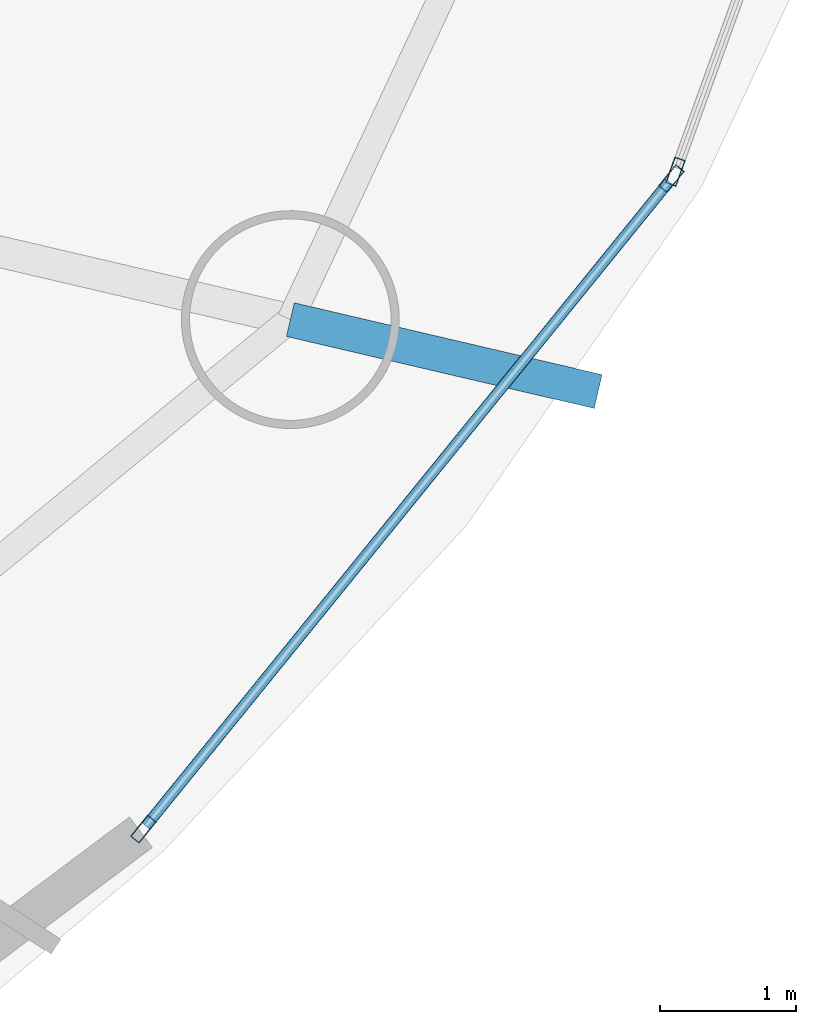
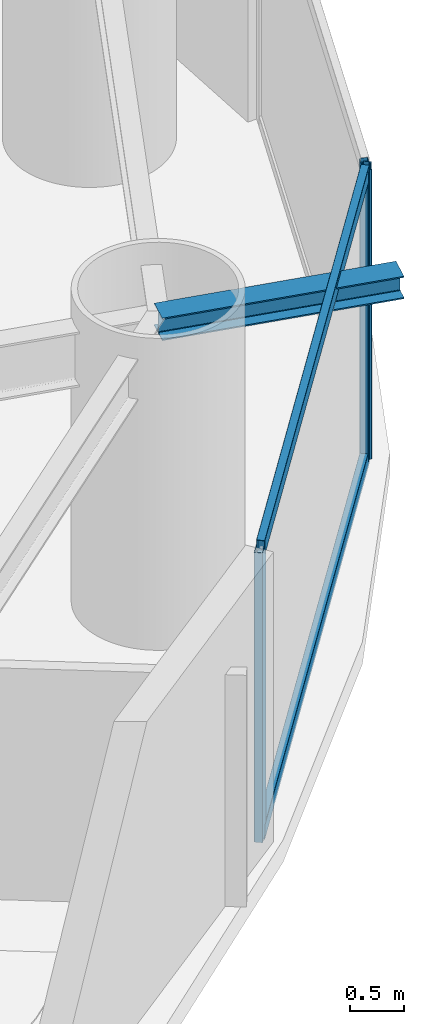
# One storey, part 7 of 23: 5 members, 1 beam, 2 elements without a shape of their own.
"""IFC4 building model written with IfcOpenShell, lengths in metres."""

from ifc_helpers import new_model, si_unit, direction, frame, origin, origin_2d, place, context, subcontext, project, spatial, hollow_rectangle, i_section, extrude, material, layer, layer_set, material_profile, profile_set, type_object, element, aggregate, save


model = new_model("IFC4")

# Units and contexts
model_context = context("Model", 3, precision=1e-05, world=origin(), true_north=direction((0.0, 1.0)))
body_context = subcontext(model_context, "Body", "Model", "MODEL_VIEW")
ifc_project = project(units=[si_unit("LENGTHUNIT", "METRE"), si_unit("AREAUNIT", "SQUARE_METRE"), si_unit("VOLUMEUNIT", "CUBIC_METRE"), si_unit("PLANEANGLEUNIT", "RADIAN"), si_unit("MASSUNIT", "GRAM", prefix="KILO")], contexts=[model_context])

# Site, building, storey
site_placement = place(None, origin())
site = spatial("IfcSite", under=ifc_project, at=site_placement, CompositionType="ELEMENT")
building_placement = place(site_placement, origin())
building = spatial("IfcBuilding", under=site, at=building_placement, Name="Bramvorn Convention Spire", CompositionType="ELEMENT")
storey_placement = place(building_placement, frame((0.0, 0.0, 69.39990234375)))
storey = spatial("IfcBuildingStorey", under=building, at=storey_placement, Name="L15", CompositionType="ELEMENT", Elevation=69.39990234375)

# Beam
ifc_material_1 = material(Name="Steel CSA G40.21 Grade 350 (350W)", Category="steel")
ifc_material_profile_1 = material_profile(ifc_material_1, i_section(OverallWidth=0.25390625, OverallDepth=0.2529296875, WebThickness=0.008544921875, FlangeThickness=0.01416015625, FilletRadius=0.011962890625, at=origin_2d()))
ifc_profile_set_1 = profile_set([ifc_material_profile_1], Name="Steel CSA G40.21 Grade 350 (350W) - W250X73")
beam_type = type_object("IfcBeamType", Name="BM-W250X73", PredefinedType="BEAM", material=ifc_profile_set_1)
beam_placement = place(storey_placement, frame((63.35888671875, 15.253662109375, 3.12353515625), z_axis=(0.973786884068, -0.227462314281, 0.0), x_axis=(0.227462314281, 0.973786884068, 0.0)))
element("IfcBeam", 1, at=beam_placement, inside=storey, type_object=beam_type, Name="L15 slab-edge cantilever tip beam MC16", PredefinedType="BEAM", context=body_context, shape_type="SweptSolid", body=[
    extrude(i_section(OverallWidth=0.25390625, OverallDepth=0.2529296875, WebThickness=0.008544921875, FlangeThickness=0.01416015625, FilletRadius=0.011962890625, at=origin_2d()), origin(), (0.0, 0.0, 1.0), 2.321533203125),
])

# Curtain wall, members
ifc_material_2 = material(Name="Anodised Bronze Unitised Curtain Wall", Category="aluminium")
ifc_layer = layer(ifc_material_2, 0.179931640625)
ifc_layer_set = layer_set([ifc_layer], Name="Anodised Bronze Unitised Curtain Wall - CW-HTL-FRIT")
curtain_wall_type = type_object("IfcCurtainWallType", Name="CW-HTL-FRIT", PredefinedType="USERDEFINED", material=ifc_layer_set)
curtain_wall_1_placement = place(storey_placement, origin())
curtain_wall_1 = element("IfcCurtainWall", 2, at=curtain_wall_1_placement, inside=storey, type_object=curtain_wall_type, Name="L15 fritted glass curtain wall 23", ObjectType="UNITISED CURTAIN WALL", PredefinedType="USERDEFINED")
ifc_material_3 = material(Name="Anodised Bronze Aluminium 6063-T6", Category="aluminium")
ifc_material_profile_2 = material_profile(ifc_material_3, hollow_rectangle(XDim=0.080078125, YDim=0.199951171875, WallThickness=0.00390625, InnerFilletRadius=0.0009765625, OuterFilletRadius=0.00390625, at=origin_2d()))
ifc_profile_set_2 = profile_set([ifc_material_profile_2], Name="Anodised Bronze Aluminium 6063-T6 - CWM80X200")
member_type_1 = type_object("IfcMemberType", Name="CW-MUL-180", PredefinedType="MULLION", material=ifc_profile_set_2)
member_1_placement = place(storey_placement, frame((66.157958984375, 16.288818359375, 0.0), z_axis=(0.0, 0.0, 1.0), x_axis=(0.7763665361, -0.630281684347, 0.0)))
member_1 = element("IfcMember", 3, at=member_1_placement, type_object=member_type_1, Name="CW2 mullion 1", PredefinedType="MULLION", context=body_context, shape_type="SweptSolid", body=[
    extrude(hollow_rectangle(XDim=0.080078125, YDim=0.199951171875, WallThickness=0.00390625, InnerFilletRadius=0.0009765625, OuterFilletRadius=0.00390625, at=origin_2d()), origin(), (0.0, 0.0, 1.0), 3.25),
])
member_2_placement = place(storey_placement, frame((62.2802734375, 11.5126953125, 0.0), z_axis=(0.0, 0.0, 1.0), x_axis=(0.7763665361, -0.630281684347, 0.0)))
member_2 = element("IfcMember", 4, at=member_2_placement, type_object=member_type_1, Name="CW2 mullion 2", PredefinedType="MULLION", context=body_context, shape_type="SweptSolid", body=[
    extrude(hollow_rectangle(XDim=0.080078125, YDim=0.199951171875, WallThickness=0.00390625, InnerFilletRadius=0.0009765625, OuterFilletRadius=0.00390625, at=origin_2d()), origin(), (0.0, 0.0, 1.0), 3.25),
])

# Curtain wall, member
curtain_wall_2_placement = place(storey_placement, origin())
curtain_wall_2 = element("IfcCurtainWall", 5, at=curtain_wall_2_placement, inside=storey, type_object=curtain_wall_type, Name="L15 fritted glass curtain wall 24", ObjectType="UNITISED CURTAIN WALL", PredefinedType="USERDEFINED")
member_3_placement = place(storey_placement, frame((66.18701171875, 16.34033203125, 0.0), z_axis=(0.0, 0.0, 1.0), x_axis=(0.940655067305, -0.339364176592, 0.0)))
member_3 = element("IfcMember", 6, at=member_3_placement, type_object=member_type_1, Name="CW2 mullion 2", PredefinedType="MULLION", context=body_context, shape_type="SweptSolid", body=[
    extrude(hollow_rectangle(XDim=0.080078125, YDim=0.199951171875, WallThickness=0.00390625, InnerFilletRadius=0.0009765625, OuterFilletRadius=0.00390625, at=origin_2d()), origin(), (0.0, 0.0, 1.0), 3.25),
])
aggregate(curtain_wall_2, [member_3])

# Member
ifc_material_profile_3 = material_profile(ifc_material_3, hollow_rectangle(XDim=0.080078125, YDim=0.159912109375, WallThickness=0.00390625, InnerFilletRadius=0.0009765625, OuterFilletRadius=0.00390625, at=origin_2d()))
ifc_profile_set_3 = profile_set([ifc_material_profile_3], Name="Anodised Bronze Aluminium 6063-T6 - CWT80X160")
member_type_2 = type_object("IfcMemberType", Name="CW-TRN-150", PredefinedType="USERDEFINED", material=ifc_profile_set_3)
member_4_placement = place(storey_placement, frame((66.138916015625, 16.265625, 0.030029296875), z_axis=(-0.630265176877, -0.776379937155, 0.0), x_axis=(0.776379937155, -0.630265176877, 0.0)))
member_4 = element("IfcMember", 7, at=member_4_placement, type_object=member_type_2, Name="CW2 transom 1.1", ObjectType="TRANSOM", PredefinedType="USERDEFINED", context=body_context, shape_type="SweptSolid", body=[
    extrude(hollow_rectangle(XDim=0.080078125, YDim=0.159912109375, WallThickness=0.00390625, InnerFilletRadius=0.0009765625, OuterFilletRadius=0.00390625, at=origin_2d()), origin(), (0.0, 0.0, 1.0), 6.092041015625),
])

member_5_placement = place(storey_placement, frame((66.138916015625, 16.265625, 3.22021484375), z_axis=(-0.630265176877, -0.776379937155, 0.0), x_axis=(0.776379937155, -0.630265176877, 0.0)))
member_5 = element("IfcMember", 8, at=member_5_placement, type_object=member_type_2, Name="CW2 transom 1.2", ObjectType="TRANSOM", PredefinedType="USERDEFINED", context=body_context, shape_type="SweptSolid", body=[
    extrude(hollow_rectangle(XDim=0.080078125, YDim=0.159912109375, WallThickness=0.00390625, InnerFilletRadius=0.0009765625, OuterFilletRadius=0.00390625, at=origin_2d()), origin(), (0.0, 0.0, 1.0), 6.092041015625),
])

aggregate(curtain_wall_1, [member_1, member_2, member_4, member_5])

save(model, "model.ifc")
